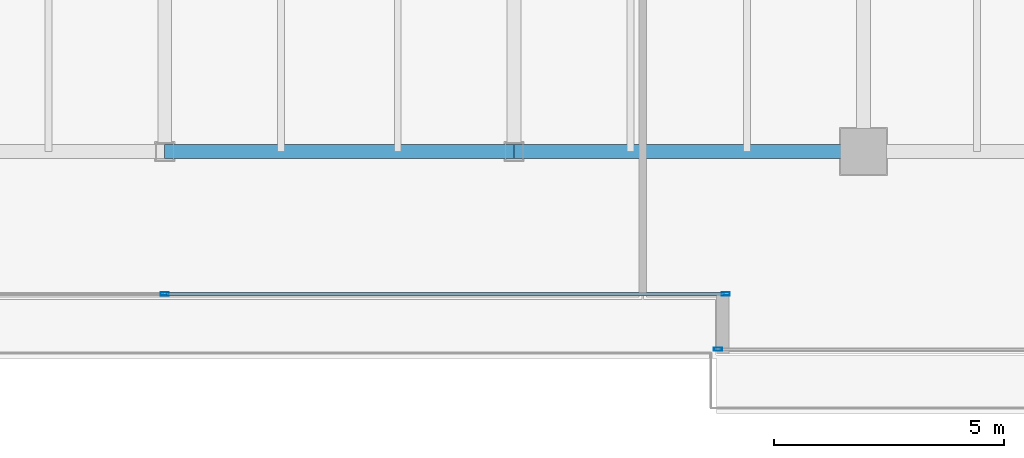
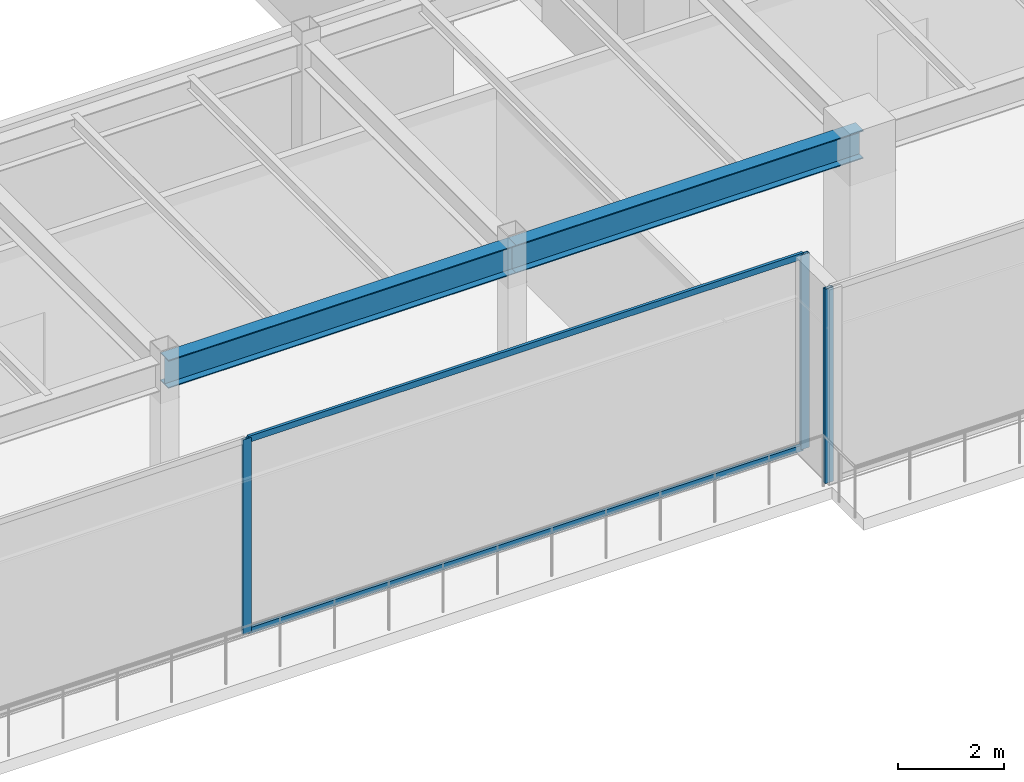
# One storey, part 11 of 37: 5 members, 2 beams, 2 elements without a shape of their own.
"""IFC4 building model written with IfcOpenShell, lengths in metres."""

from ifc_helpers import new_model, si_unit, direction, frame, origin, origin_2d, place, context, subcontext, project, spatial, hollow_rectangle, i_section, extrude, source, transform, mapped, material, layer, layer_set, material_profile, profile_set, type_object, type_shapes, element, aggregate, save


model = new_model("IFC4")

# Units and contexts
model_context = context("Model", 3, precision=1e-05, world=origin(), true_north=direction((0.0, 1.0)))
body_context = subcontext(model_context, "Body", "Model", "MODEL_VIEW")
ifc_project = project(units=[si_unit("LENGTHUNIT", "METRE"), si_unit("AREAUNIT", "SQUARE_METRE"), si_unit("VOLUMEUNIT", "CUBIC_METRE"), si_unit("PLANEANGLEUNIT", "RADIAN"), si_unit("MASSUNIT", "GRAM", prefix="KILO")], contexts=[model_context])

# Site, building, storey
site_placement = place(None, origin())
site = spatial("IfcSite", under=ifc_project, at=site_placement, CompositionType="ELEMENT")
building_placement = place(site_placement, origin())
building = spatial("IfcBuilding", under=site, at=building_placement, Name="Haelvirn Gate Laboratories", CompositionType="ELEMENT")
storey_placement = place(building_placement, frame((0.0, 0.0, 196.60009765625)))
storey = spatial("IfcBuildingStorey", under=building, at=storey_placement, Name="L47", CompositionType="ELEMENT", Elevation=196.60009765625)

# Beams
ifc_material_1 = material(Name="Steel SM355", Category="steel")
ifc_material_profile_1 = material_profile(ifc_material_1, i_section(OverallWidth=0.300048828125, OverallDepth=0.64990234375, WebThickness=0.012939453125, FlangeThickness=0.02197265625, at=origin_2d()), Name="H-650x300x13x22")
ifc_profile_set_1 = profile_set([ifc_material_profile_1], Name="Steel SM355")
beam_type = type_object("IfcBeamType", Name="BM-G-650", PredefinedType="BEAM", material=ifc_profile_set_1)
shared_shape_1 = source(origin(), body_context, "Body", "SweptSolid", [
    extrude(i_section(OverallWidth=0.300048828125, OverallDepth=0.64990234375, WebThickness=0.012939453125, FlangeThickness=0.02197265625, at=origin_2d()), origin(), (0.0, 0.0, 1.0), 7.60009765625),
])
type_shapes(beam_type, [shared_shape_1])
for number, where, z_axis, x_axis, name in (
    (1, (37.39990234375, 7.0, 4.1748046875), (1.0, 0.0, 0.0), (0.0, 1.0, 0.0), "L47 Primary Girder Y7.0 (37.4-45.0)"),
    (2, (45.0, 7.0, 4.1748046875), (1.0, 0.0, 0.0), (0.0, 1.0, 0.0), "L47 Primary Girder Y7.0 (45.0-52.6)"),
):
    element("IfcBeam", number, at=place(storey_placement, frame(where, z_axis=z_axis, x_axis=x_axis)), inside=storey, type_object=beam_type, Name=name, PredefinedType="BEAM", context=body_context, shape_type="MappedRepresentation", body=[
        mapped(shared_shape_1, transform((0.0, 0.0, 0.0), scale=1.0)),
    ])

# Curtain wall, members
ifc_material_2 = material(Name="Anodised bronze unitised aluminium & triple low-E glass", Category="aluminium")
ifc_layer = layer(ifc_material_2, 0.176025390625, Name="CW-SYS-4")
ifc_layer_set = layer_set([ifc_layer], Name="Anodised bronze unitised aluminium & triple low-E glass")
curtain_wall_type = type_object("IfcCurtainWallType", Name="CW-SYS-4", PredefinedType="NOTDEFINED", material=ifc_layer_set)
curtain_wall_1_placement = place(storey_placement, origin())
curtain_wall_1 = element("IfcCurtainWall", 3, at=curtain_wall_1_placement, inside=storey, type_object=curtain_wall_type, Name="L47 Unitised Curtain Wall CW-L47-P0-E02-1", PredefinedType="NOTDEFINED")
ifc_material_3 = material(Name="Extruded aluminium 6063-T6 (anodised bronze)", Category="aluminium")
ifc_material_profile_2 = material_profile(ifc_material_3, hollow_rectangle(XDim=0.070068359375, YDim=0.179931640625, WallThickness=0.0048828125, at=origin_2d()), Name="CWM-180x70x5")
ifc_profile_set_2 = profile_set([ifc_material_profile_2], Name="Extruded aluminium 6063-T6 (anodised bronze)")
member_type_1 = type_object("IfcMemberType", Name="CWM-T180", PredefinedType="MULLION", material=ifc_profile_set_2)
shared_shape_2 = source(origin(), body_context, "Body", "SweptSolid", [
    extrude(hollow_rectangle(XDim=0.070068359375, YDim=0.179931640625, WallThickness=0.0048828125, at=origin_2d()), origin(), (0.0, 0.0, 1.0), 4.5),
])
type_shapes(member_type_1, [shared_shape_2])
member_1_placement = place(storey_placement, frame((37.39990234375, 3.89990234375, 0.0), z_axis=(0.0, 0.0, 1.0), x_axis=(0.0, 1.0, 0.0)))
member_1 = element("IfcMember", 4, at=member_1_placement, type_object=member_type_1, Name="CW4 mullion 2", PredefinedType="MULLION", context=body_context, shape_type="MappedRepresentation", body=[
    mapped(shared_shape_2, transform((0.0, 0.0, 0.0), scale=1.0)),
])
member_2_placement = place(storey_placement, frame((49.60498046875, 3.89990234375, 0.0), z_axis=(0.0, 0.0, 1.0), x_axis=(0.0, 1.0, 0.0)))
member_2 = element("IfcMember", 5, at=member_2_placement, type_object=member_type_1, Name="CW4 mullion 3", PredefinedType="MULLION", context=body_context, shape_type="MappedRepresentation", body=[
    mapped(shared_shape_2, transform((0.0, 0.0, 0.0), scale=1.0)),
])

# Curtain wall, member
curtain_wall_2_placement = place(storey_placement, origin())
curtain_wall_2 = element("IfcCurtainWall", 6, at=curtain_wall_2_placement, inside=storey, type_object=curtain_wall_type, Name="L47 Unitised Curtain Wall CW-L47-P0-E04-1", PredefinedType="NOTDEFINED")
member_3_placement = place(storey_placement, frame((49.43505859375, 2.699951171875, 0.0), z_axis=(0.0, 0.0, 1.0), x_axis=(0.0, 1.0, 0.0)))
member_3 = element("IfcMember", 7, at=member_3_placement, type_object=member_type_1, Name="CW4 mullion 1", PredefinedType="MULLION", context=body_context, shape_type="MappedRepresentation", body=[
    mapped(shared_shape_2, transform((0.0, 0.0, 0.0), scale=1.0)),
])
aggregate(curtain_wall_2, [member_3])

# Member
ifc_material_profile_3 = material_profile(ifc_material_3, hollow_rectangle(XDim=0.06494140625, YDim=0.139892578125, WallThickness=0.00390625, at=origin_2d()), Name="CWT-140x65x4")
ifc_profile_set_3 = profile_set([ifc_material_profile_3], Name="Extruded aluminium 6063-T6 (anodised bronze)")
member_type_2 = type_object("IfcMemberType", Name="CWT-T140", PredefinedType="USERDEFINED", material=ifc_profile_set_3)
shared_shape_3 = source(origin(), body_context, "Body", "SweptSolid", [
    extrude(hollow_rectangle(XDim=0.06494140625, YDim=0.139892578125, WallThickness=0.00390625, at=origin_2d()), origin(), (0.0, 0.0, 1.0), 12.135009765625),
])
type_shapes(member_type_2, [shared_shape_3])
member_4_placement = place(storey_placement, frame((37.43505859375, 3.89990234375, 0.032470703125), z_axis=(1.0, 0.0, 0.0), x_axis=(0.0, 1.0, 0.0)))
member_4 = element("IfcMember", 8, at=member_4_placement, type_object=member_type_2, Name="CW4 transom 2.1", ObjectType="TRANSOM", PredefinedType="USERDEFINED", context=body_context, shape_type="MappedRepresentation", body=[
    mapped(shared_shape_3, transform((0.0, 0.0, 0.0), scale=1.0)),
])

member_5_placement = place(storey_placement, frame((37.43505859375, 3.89990234375, 4.46728515625), z_axis=(1.0, 0.0, 0.0), x_axis=(0.0, 1.0, 0.0)))
member_5 = element("IfcMember", 9, at=member_5_placement, type_object=member_type_2, Name="CW4 transom 2.2", ObjectType="TRANSOM", PredefinedType="USERDEFINED", context=body_context, shape_type="MappedRepresentation", body=[
    mapped(shared_shape_3, transform((0.0, 0.0, 0.0), scale=1.0)),
])

aggregate(curtain_wall_1, [member_1, member_2, member_4, member_5])

save(model, "model.ifc")
